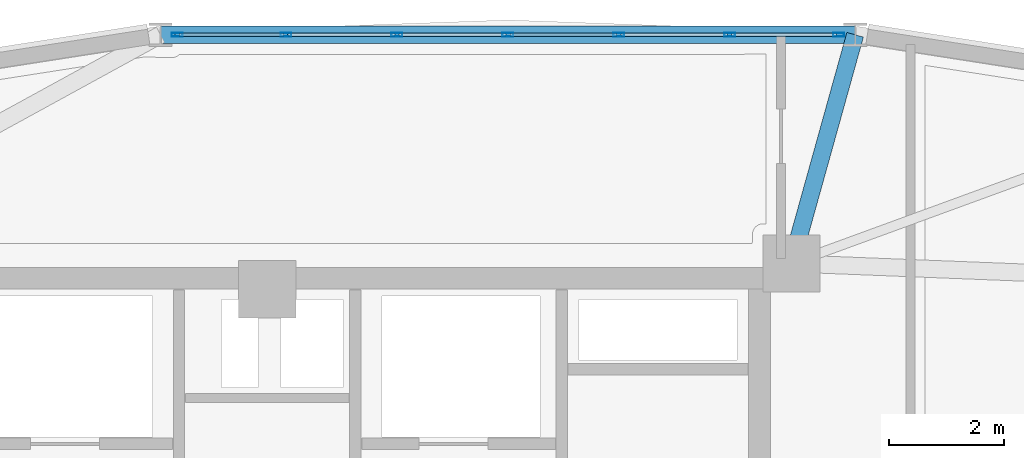
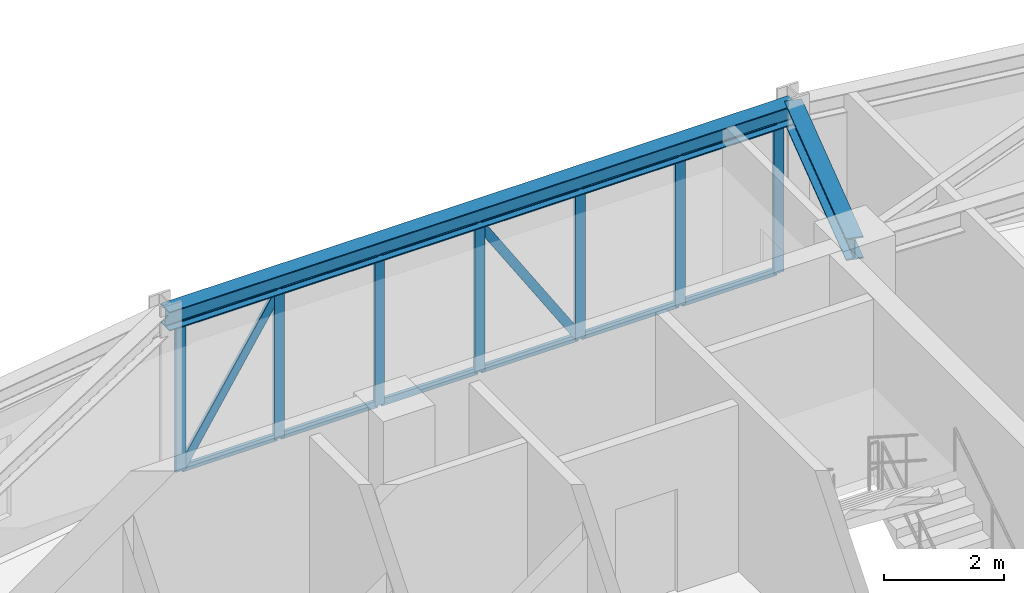
# One storey, part 9 of 16: 21 members, 2 beams, 1 element without a shape of its own.
"""IFC4 building model written with IfcOpenShell, lengths in metres."""

import ifcopenshell
import ifcopenshell.guid

model = None  # the IFC model being written
_history = None  # IfcOwnerHistory: only IFC2X3 demands one
_inside = {}  # id of a spatial element -> (the spatial element, [elements in it])
_under = {}  # id of a project, library or spatial element -> (it, [spatial elements below it])
_declared = {}  # id of a project -> (the project, [libraries it declares])
_typed = {}  # id of a type object -> (the type object, [elements of that type])
_made_of = {}  # id of a material, layer set ... -> (it, [elements and type objects made of it])


def new_model(schema):
    """Start an empty IFC model of exactly this schema.

    Asked for "IFC4X3", IfcOpenShell would pick the latest addendum, in which some entities
    have other attributes; the version numbers below select the first issue.
    IFC2X3 requires an IfcOwnerHistory on every rooted entity: one is made here for all.
    """
    global model, _history
    if schema == "IFC4X3":
        model = ifcopenshell.file(schema_version=(4, 3, 0, 0))
    else:
        model = ifcopenshell.file(schema=schema)
    _inside.clear()
    _under.clear()
    _declared.clear()
    _typed.clear()
    _made_of.clear()
    _history = None
    if model.schema == "IFC2X3":
        org = make("IfcOrganization", Name="unknown")
        user = make(
            "IfcPersonAndOrganization",
            ThePerson=make("IfcPerson", FamilyName="unknown"),
            TheOrganization=org,
        )
        app = make(
            "IfcApplication",
            ApplicationDeveloper=org,
            Version="unknown",
            ApplicationFullName="unknown",
            ApplicationIdentifier="unknown",
        )
        _history = make(
            "IfcOwnerHistory",
            OwningUser=user,
            OwningApplication=app,
            ChangeAction="ADDED",
            CreationDate=0,
        )
    return model


def make(cls, **values):
    """One entity of the class cls with the attributes given. An attribute that is None is left unset."""
    return model.create_entity(
        cls, **{name: value for name, value in values.items() if value is not None}
    )


def rooted(cls, **values):
    """An entity with a GlobalId (a new one), such as an element, a storey or a relation."""
    return make(cls, GlobalId=ifcopenshell.guid.new(), OwnerHistory=_history, **values)


def si_unit(unit_type, name, prefix=None):
    """IfcSIUnit, for example si_unit("LENGTHUNIT", "METRE", prefix="MILLI")."""
    return make("IfcSIUnit", UnitType=unit_type, Prefix=prefix, Name=name)


def derived_unit(unit_type, elements):
    """IfcDerivedUnit: a product of units, each with its exponent."""
    return make(
        "IfcDerivedUnit",
        Elements=[
            make("IfcDerivedUnitElement", Unit=unit, Exponent=power)
            for unit, power in elements
        ],
        UnitType=unit_type,
    )


def assignment(units):
    """IfcUnitAssignment: the units of a project."""
    return None if units is None else make("IfcUnitAssignment", Units=units)


def point(xyz):
    """IfcCartesianPoint."""
    return None if xyz is None else make("IfcCartesianPoint", Coordinates=xyz)


def direction(xyz):
    """IfcDirection."""
    return None if xyz is None else make("IfcDirection", DirectionRatios=xyz)


def frame(location, z_axis=None, x_axis=None):
    """IfcAxis2Placement3D, a coordinate frame: its origin and axes. An axis left out is left unset."""
    return make(
        "IfcAxis2Placement3D",
        Location=point(location),
        Axis=direction(z_axis),
        RefDirection=direction(x_axis),
    )


def frame_2d(location, x_axis=None):
    """IfcAxis2Placement2D, a coordinate frame in the plane: its origin and x axis."""
    return make(
        "IfcAxis2Placement2D", Location=point(location), RefDirection=direction(x_axis)
    )


def origin():
    """The frame at (0, 0, 0) with its axes left unset."""
    return frame((0.0, 0.0, 0.0))


def origin_2d():
    """The frame at (0, 0) in the plane with its x axis left unset."""
    return frame_2d((0.0, 0.0))


def place(relative_to, where):
    """IfcLocalPlacement: puts the frame where relative to a parent placement (None: the world)."""
    return make(
        "IfcLocalPlacement", PlacementRelTo=relative_to, RelativePlacement=where
    )


def context(
    kind, dimensions, precision=None, world=None, true_north=None, identifier=None
):
    """IfcGeometricRepresentationContext, for example the 3D "Model" context."""
    return make(
        "IfcGeometricRepresentationContext",
        ContextIdentifier=identifier,
        ContextType=kind,
        CoordinateSpaceDimension=dimensions,
        Precision=precision,
        WorldCoordinateSystem=world,
        TrueNorth=true_north,
    )


def subcontext(parent, identifier, kind, view, scale=None):
    """IfcGeometricRepresentationSubContext, for example "Body" below "Model"."""
    return make(
        "IfcGeometricRepresentationSubContext",
        ContextIdentifier=identifier,
        ContextType=kind,
        ParentContext=parent,
        TargetScale=scale,
        TargetView=view,
    )


def project(units=None, contexts=None):
    """IfcProject with its units and contexts."""
    return rooted(
        "IfcProject",
        Name="project",
        RepresentationContexts=contexts,
        UnitsInContext=assignment(units),
    )


def spatial(cls, under=None, at=None, **own):
    """A site, building, storey or space (cls), placed at a placement, below another one or the project."""
    s = rooted(cls, ObjectPlacement=at, **own)
    if under is not None:
        _under.setdefault(under.id(), (under, []))[1].append(s)
    return s


def profile(cls, at=None, kind="AREA", **sizes):
    """A parametric profile (cls). Its sizes go by their IFC names, for example OverallWidth=200.0."""
    return make(cls, ProfileType=kind, Position=at, **sizes)


def hollow_rectangle(**sizes):
    """IfcRectangleHollowProfileDef."""
    return profile("IfcRectangleHollowProfileDef", **sizes)


def i_section(**sizes):
    """IfcIShapeProfileDef."""
    return profile("IfcIShapeProfileDef", **sizes)


def extrude(swept, where, along, depth):
    """IfcExtrudedAreaSolid: the profile swept, set in the frame where, extruded along a direction by depth."""
    return make(
        "IfcExtrudedAreaSolid",
        SweptArea=swept,
        Position=where,
        ExtrudedDirection=direction(along),
        Depth=depth,
    )


def shape(context_of_items, identifier, shape_type, items):
    """IfcShapeRepresentation: the items that make up one representation, for example the "Body"."""
    return make(
        "IfcShapeRepresentation",
        ContextOfItems=context_of_items,
        RepresentationIdentifier=identifier,
        RepresentationType=shape_type,
        Items=items,
    )


def source(mapping_origin, context_of_items, identifier, shape_type, items):
    """IfcRepresentationMap: a shape defined once, which mapped items show again and again."""
    return make(
        "IfcRepresentationMap",
        MappingOrigin=mapping_origin,
        MappedRepresentation=shape(context_of_items, identifier, shape_type, items),
    )


def transform(
    local_origin,
    x_axis=None,
    y_axis=None,
    z_axis=None,
    scale=None,
    scale2=None,
    scale3=None,
    uniform=True,
):
    """IfcCartesianTransformationOperator3D, or its non-uniform kind. x_axis, y_axis, z_axis: its Axis1, 2, 3."""
    if uniform:
        return make(
            "IfcCartesianTransformationOperator3D",
            Axis1=direction(x_axis),
            Axis2=direction(y_axis),
            LocalOrigin=point(local_origin),
            Scale=scale,
            Axis3=direction(z_axis),
        )
    return make(
        "IfcCartesianTransformationOperator3DnonUniform",
        Axis1=direction(x_axis),
        Axis2=direction(y_axis),
        LocalOrigin=point(local_origin),
        Scale=scale,
        Axis3=direction(z_axis),
        Scale2=scale2,
        Scale3=scale3,
    )


def mapped(mapping_source, mapping_target):
    """IfcMappedItem: shows the shape of a source again, moved by a transform."""
    return make(
        "IfcMappedItem", MappingSource=mapping_source, MappingTarget=mapping_target
    )


def material(Name=None, Category=None):
    """IfcMaterial."""
    return make("IfcMaterial", Name=Name, Category=Category)


def layer(
    of_material, thickness, ventilated=None, Name=None, Category=None, Priority=None
):
    """IfcMaterialLayer: one layer of a wall or slab, of a material (None: an air gap)."""
    return make(
        "IfcMaterialLayer",
        Material=of_material,
        LayerThickness=thickness,
        IsVentilated=ventilated,
        Name=Name,
        Category=Category,
        Priority=Priority,
    )


def layer_set(layers, Name=None):
    """IfcMaterialLayerSet."""
    return make("IfcMaterialLayerSet", MaterialLayers=layers, LayerSetName=Name)


def material_profile(
    of_material, cross_section, Name=None, Category=None, Priority=None
):
    """IfcMaterialProfile: a cross section and its material."""
    return make(
        "IfcMaterialProfile",
        Name=Name,
        Material=of_material,
        Profile=cross_section,
        Priority=Priority,
        Category=Category,
    )


def profile_set(profiles, Name=None, composite=None):
    """IfcMaterialProfileSet."""
    return make(
        "IfcMaterialProfileSet",
        Name=Name,
        MaterialProfiles=profiles,
        CompositeProfile=composite,
    )


def made_of(thing, what):
    """Note that an element or type object is made of a material, layer set ...; save() writes the relation."""
    if what is not None:
        _made_of.setdefault(what.id(), (what, []))[1].append(thing)
    return thing


def type_object(cls, material=None, **own):
    """A type object (cls), such as IfcWallType, which elements share."""
    return made_of(rooted(cls, **own), material)


def element(
    cls,
    number,
    at=None,
    inside=None,
    cuts=None,
    type_object=None,
    material=None,
    context=None,
    identifier="Body",
    shape_type=None,
    held_by="IfcProductDefinitionShape",
    body=None,
    shapes=None,
    **own,
):
    """One element of the class cls, such as IfcWall. Its Tag is "e" and its number.

    at: its placement. inside: the storey or other place that contains it. cuts: it is an
    opening in that element (IfcRelVoidsElement). A single representation is given by context,
    identifier, shape_type and body (its items); several are given by shapes. held_by: the class
    of the entity that holds the representations. save() writes the other relations.
    """
    e = rooted(cls, Tag="e%d" % number, ObjectPlacement=at, **own)
    if body is not None:
        shapes = [shape(context, identifier, shape_type, body)]
    if shapes is not None:
        e.Representation = make(held_by, Representations=shapes)
    if inside is not None:
        _inside.setdefault(inside.id(), (inside, []))[1].append(e)
    if cuts is not None:
        rooted(
            "IfcRelVoidsElement", RelatingBuildingElement=cuts, RelatedOpeningElement=e
        )
    if type_object is not None:
        _typed.setdefault(type_object.id(), (type_object, []))[1].append(e)
    return made_of(e, material)


def aggregate(whole, parts):
    """IfcRelAggregates: a whole, such as a stair, and the parts it consists of."""
    return rooted("IfcRelAggregates", RelatingObject=whole, RelatedObjects=parts)


def save(model, path):
    """Write the relations noted so far, then the file.

    IfcRelAggregates (storeys below a building ...), IfcRelContainedInSpatialStructure (elements
    in a storey), IfcRelDefinesByType, IfcRelAssociatesMaterial and IfcRelDeclares: one each for
    every whole, place, type object, material and project.
    """
    for whole, parts in _under.values():
        aggregate(whole, parts)
    for where, things in _inside.values():
        rooted(
            "IfcRelContainedInSpatialStructure",
            RelatedElements=things,
            RelatingStructure=where,
        )
    for kind, things in _typed.values():
        rooted("IfcRelDefinesByType", RelatedObjects=things, RelatingType=kind)
    for what, things in _made_of.values():
        rooted("IfcRelAssociatesMaterial", RelatedObjects=things, RelatingMaterial=what)
    for by, libraries in _declared.values():
        rooted("IfcRelDeclares", RelatingContext=by, RelatedDefinitions=libraries)
    model.write(path)


model = new_model("IFC4")

# Units and contexts
model_context = context("Model", 3, precision=1e-05, world=origin(), true_north=direction((0.0, 1.0)))
body_context = subcontext(model_context, "Body", "Model", "MODEL_VIEW")
ifc_project = project(units=[si_unit("LENGTHUNIT", "METRE"), si_unit("AREAUNIT", "SQUARE_METRE"), si_unit("VOLUMEUNIT", "CUBIC_METRE"), si_unit("PLANEANGLEUNIT", "RADIAN"), si_unit("MASSUNIT", "GRAM", prefix="KILO"), derived_unit("THERMALTRANSMITTANCEUNIT", [(si_unit("POWERUNIT", "WATT"), 1), (si_unit("LENGTHUNIT", "METRE"), -2), (si_unit("THERMODYNAMICTEMPERATUREUNIT", "KELVIN"), -1)])], contexts=[model_context])

# Site, building, storey
site_placement = place(None, origin())
site = spatial("IfcSite", under=ifc_project, at=site_placement, CompositionType="ELEMENT")
building_placement = place(site_placement, origin())
building = spatial("IfcBuilding", under=site, at=building_placement, Name="Korsvarv Bourse and Concert Hall", CompositionType="ELEMENT")
storey_placement = place(building_placement, frame((0.0, 0.0, 231.0)))
storey = spatial("IfcBuildingStorey", under=building, at=storey_placement, Name="L60", CompositionType="ELEMENT", Elevation=231.0)

# Beams
ifc_material_1 = material(Name="Steel S355", Category="steel")
ifc_material_profile_1 = material_profile(ifc_material_1, i_section(OverallWidth=0.300048828125, OverallDepth=0.389892578125, WebThickness=0.010986328125, FlangeThickness=0.01904296875, FilletRadius=0.02099609375, at=origin_2d()), Name="HEA 400")
ifc_profile_set_1 = profile_set([ifc_material_profile_1], Name="Steel S355")
beam_type_1 = type_object("IfcBeamType", Name="BM-HEA400", PredefinedType="BEAM", material=ifc_profile_set_1)
shared_shape_1 = source(origin(), body_context, "Body", "SweptSolid", [
    extrude(i_section(OverallWidth=0.300048828125, OverallDepth=0.389892578125, WebThickness=0.010986328125, FlangeThickness=0.01904296875, FilletRadius=0.02099609375, at=origin_2d()), origin(), (0.0, 0.0, 1.0), 12.12353515625),
])
beam_1_placement = place(storey_placement, frame((46.26171875, 51.2412109375, 3.215087890625), z_axis=(-1.0, 0.0, 0.0), x_axis=(0.0, -1.0, 0.0)))
element("IfcBeam", 1, at=beam_1_placement, inside=storey, type_object=beam_type_1, Name="L60 beam B-11", PredefinedType="BEAM", context=body_context, shape_type="MappedRepresentation", body=[
    mapped(shared_shape_1, transform((0.0, 0.0, 0.0), scale=1.0)),
])
ifc_material_profile_2 = material_profile(ifc_material_1, i_section(OverallWidth=0.300048828125, OverallDepth=0.449951171875, WebThickness=0.013916015625, FlangeThickness=0.02587890625, FilletRadius=0.02099609375, at=origin_2d()), Name="HEB 450")
ifc_profile_set_2 = profile_set([ifc_material_profile_2], Name="Steel S355")
beam_type_2 = type_object("IfcBeamType", Name="BM-HEB450", PredefinedType="SPANDREL", material=ifc_profile_set_2)
shared_shape_2 = source(origin(), body_context, "Body", "SweptSolid", [
    extrude(i_section(OverallWidth=0.300048828125, OverallDepth=0.449951171875, WebThickness=0.013916015625, FlangeThickness=0.02587890625, FilletRadius=0.02099609375, at=origin_2d()), origin(), (0.0, 0.0, 1.0), 4.14306640625),
])
beam_2_placement = place(storey_placement, frame((46.26171875, 51.2412109375, 3.18505859375), z_axis=(-0.268348877683, -0.963321794545, 0.0), x_axis=(0.963321794545, -0.268348877683, 0.0)))
element("IfcBeam", 2, at=beam_2_placement, inside=storey, type_object=beam_type_2, Name="L60 beam B-08", PredefinedType="SPANDREL", context=body_context, shape_type="MappedRepresentation", body=[
    mapped(shared_shape_2, transform((0.0, 0.0, 0.0), scale=1.0)),
])

# Curtain wall, members
ifc_material_2 = material(Name="Anodised aluminium and triple low-E glazing", Category="glass")
ifc_layer = layer(ifc_material_2, 0.199951171875)
ifc_layer_set = layer_set([ifc_layer], Name="Anodised aluminium and triple low-E glazing")
curtain_wall_type = type_object("IfcCurtainWallType", Name="CW-SYS-3", PredefinedType="NOTDEFINED", material=ifc_layer_set)
curtain_wall_placement = place(storey_placement, origin())
curtain_wall = element("IfcCurtainWall", 3, at=curtain_wall_placement, inside=storey, type_object=curtain_wall_type, Name="L60 CW3 curtain wall CW-L60-F03", PredefinedType="NOTDEFINED")
ifc_material_3 = material(Name="Extruded aluminium EN AW-6063 T66", Category="aluminium")
ifc_material_profile_3 = material_profile(ifc_material_3, hollow_rectangle(XDim=0.070068359375, YDim=0.18994140625, WallThickness=0.0048828125, at=origin_2d()), Name="ALU-M 70x190")
ifc_profile_set_3 = profile_set([ifc_material_profile_3], Name="Extruded aluminium EN AW-6063 T66")
member_type_1 = type_object("IfcMemberType", Name="CWM-190", PredefinedType="MULLION", material=ifc_profile_set_3)
shared_shape_3 = source(origin(), body_context, "Body", "SweptSolid", [
    extrude(hollow_rectangle(XDim=0.070068359375, YDim=0.18994140625, WallThickness=0.0048828125, at=origin_2d()), origin(), (0.0, 0.0, 1.0), 3.02001953125),
])
member_1_placement = place(storey_placement, frame((45.973876953125, 51.2412109375, 0.0), z_axis=(0.0, 0.0, 1.0), x_axis=(0.0, -1.0, 0.0)))
member_1 = element("IfcMember", 4, at=member_1_placement, type_object=member_type_1, Name="CW3 mullion 1", PredefinedType="MULLION", context=body_context, shape_type="MappedRepresentation", body=[
    mapped(shared_shape_3, transform((0.0, 0.0, 0.0), scale=1.0)),
])
member_2_placement = place(storey_placement, frame((44.072509765625, 51.2412109375, 0.0), z_axis=(0.0, 0.0, 1.0), x_axis=(0.0, -1.0, 0.0)))
member_2 = element("IfcMember", 5, at=member_2_placement, type_object=member_type_1, Name="CW3 mullion 2", PredefinedType="MULLION", context=body_context, shape_type="MappedRepresentation", body=[
    mapped(shared_shape_3, transform((0.0, 0.0, 0.0), scale=1.0)),
])
member_3_placement = place(storey_placement, frame((42.13623046875, 51.2412109375, 0.0), z_axis=(0.0, 0.0, 1.0), x_axis=(0.0, -1.0, 0.0)))
member_3 = element("IfcMember", 6, at=member_3_placement, type_object=member_type_1, Name="CW3 mullion 3", PredefinedType="MULLION", context=body_context, shape_type="MappedRepresentation", body=[
    mapped(shared_shape_3, transform((0.0, 0.0, 0.0), scale=1.0)),
])
member_4_placement = place(storey_placement, frame((40.199951171875, 51.2412109375, 0.0), z_axis=(0.0, 0.0, 1.0), x_axis=(0.0, -1.0, 0.0)))
member_4 = element("IfcMember", 7, at=member_4_placement, type_object=member_type_1, Name="CW3 mullion 4", PredefinedType="MULLION", context=body_context, shape_type="MappedRepresentation", body=[
    mapped(shared_shape_3, transform((0.0, 0.0, 0.0), scale=1.0)),
])
member_5_placement = place(storey_placement, frame((38.263671875, 51.2412109375, 0.0), z_axis=(0.0, 0.0, 1.0), x_axis=(0.0, -1.0, 0.0)))
member_5 = element("IfcMember", 8, at=member_5_placement, type_object=member_type_1, Name="CW3 mullion 5", PredefinedType="MULLION", context=body_context, shape_type="MappedRepresentation", body=[
    mapped(shared_shape_3, transform((0.0, 0.0, 0.0), scale=1.0)),
])
member_6_placement = place(storey_placement, frame((36.327392578125, 51.2412109375, 0.0), z_axis=(0.0, 0.0, 1.0), x_axis=(0.0, -1.0, 0.0)))
member_6 = element("IfcMember", 9, at=member_6_placement, type_object=member_type_1, Name="CW3 mullion 6", PredefinedType="MULLION", context=body_context, shape_type="MappedRepresentation", body=[
    mapped(shared_shape_3, transform((0.0, 0.0, 0.0), scale=1.0)),
])
member_7_placement = place(storey_placement, frame((34.42626953125, 51.2412109375, 0.0), z_axis=(0.0, 0.0, 1.0), x_axis=(0.0, -1.0, 0.0)))
member_7 = element("IfcMember", 10, at=member_7_placement, type_object=member_type_1, Name="CW3 mullion 7", PredefinedType="MULLION", context=body_context, shape_type="MappedRepresentation", body=[
    mapped(shared_shape_3, transform((0.0, 0.0, 0.0), scale=1.0)),
])
ifc_material_profile_4 = material_profile(ifc_material_3, hollow_rectangle(XDim=0.06494140625, YDim=0.139892578125, WallThickness=0.00390625, at=origin_2d()), Name="ALU-T 65x140")
ifc_profile_set_4 = profile_set([ifc_material_profile_4], Name="Extruded aluminium EN AW-6063 T66")
member_type_2 = type_object("IfcMemberType", Name="CWT-140", PredefinedType="USERDEFINED", material=ifc_profile_set_4)
shared_shape_4 = source(origin(), body_context, "Body", "SweptSolid", [
    extrude(hollow_rectangle(XDim=0.06494140625, YDim=0.139892578125, WallThickness=0.00390625, at=origin_2d()), origin(), (0.0, 0.0, 1.0), 1.831298828125),
])
member_8_placement = place(storey_placement, frame((45.938720703125, 51.2412109375, 0.032470703125), z_axis=(-1.0, 0.0, 0.0), x_axis=(0.0, -1.0, 0.0)))
member_8 = element("IfcMember", 11, at=member_8_placement, type_object=member_type_2, Name="CW3 transom 1.1", ObjectType="TRANSOM", PredefinedType="USERDEFINED", context=body_context, shape_type="MappedRepresentation", body=[
    mapped(shared_shape_4, transform((0.0, 0.0, 0.0), scale=1.0)),
])
member_9_placement = place(storey_placement, frame((45.938720703125, 51.2412109375, 2.987548828125), z_axis=(-1.0, 0.0, 0.0), x_axis=(0.0, -1.0, 0.0)))
member_9 = element("IfcMember", 12, at=member_9_placement, type_object=member_type_2, Name="CW3 transom 1.2", ObjectType="TRANSOM", PredefinedType="USERDEFINED", context=body_context, shape_type="MappedRepresentation", body=[
    mapped(shared_shape_4, transform((0.0, 0.0, 0.0), scale=1.0)),
])
member_10_placement = place(storey_placement, frame((36.29248046875, 51.2412109375, 0.032470703125), z_axis=(-1.0, 0.0, 0.0), x_axis=(0.0, -1.0, 0.0)))
member_10 = element("IfcMember", 13, at=member_10_placement, type_object=member_type_2, Name="CW3 transom 6.1", ObjectType="TRANSOM", PredefinedType="USERDEFINED", context=body_context, shape_type="MappedRepresentation", body=[
    mapped(shared_shape_4, transform((0.0, 0.0, 0.0), scale=1.0)),
])
member_11_placement = place(storey_placement, frame((36.29248046875, 51.2412109375, 2.987548828125), z_axis=(-1.0, 0.0, 0.0), x_axis=(0.0, -1.0, 0.0)))
member_11 = element("IfcMember", 14, at=member_11_placement, type_object=member_type_2, Name="CW3 transom 6.2", ObjectType="TRANSOM", PredefinedType="USERDEFINED", context=body_context, shape_type="MappedRepresentation", body=[
    mapped(shared_shape_4, transform((0.0, 0.0, 0.0), scale=1.0)),
])
shared_shape_5 = source(origin(), body_context, "Body", "SweptSolid", [
    extrude(hollow_rectangle(XDim=0.06494140625, YDim=0.139892578125, WallThickness=0.00390625, at=origin_2d()), origin(), (0.0, 0.0, 1.0), 1.8662109375),
])
member_12_placement = place(storey_placement, frame((44.03759765625, 51.2412109375, 0.032470703125), z_axis=(-1.0, 0.0, 0.0), x_axis=(0.0, -1.0, 0.0)))
member_12 = element("IfcMember", 15, at=member_12_placement, type_object=member_type_2, Name="CW3 transom 2.1", ObjectType="TRANSOM", PredefinedType="USERDEFINED", context=body_context, shape_type="MappedRepresentation", body=[
    mapped(shared_shape_5, transform((0.0, 0.0, 0.0), scale=1.0)),
])
member_13_placement = place(storey_placement, frame((44.03759765625, 51.2412109375, 2.987548828125), z_axis=(-1.0, 0.0, 0.0), x_axis=(0.0, -1.0, 0.0)))
member_13 = element("IfcMember", 16, at=member_13_placement, type_object=member_type_2, Name="CW3 transom 2.2", ObjectType="TRANSOM", PredefinedType="USERDEFINED", context=body_context, shape_type="MappedRepresentation", body=[
    mapped(shared_shape_5, transform((0.0, 0.0, 0.0), scale=1.0)),
])
member_14_placement = place(storey_placement, frame((42.101318359375, 51.2412109375, 0.032470703125), z_axis=(-1.0, 0.0, 0.0), x_axis=(0.0, -1.0, 0.0)))
member_14 = element("IfcMember", 17, at=member_14_placement, type_object=member_type_2, Name="CW3 transom 3.1", ObjectType="TRANSOM", PredefinedType="USERDEFINED", context=body_context, shape_type="MappedRepresentation", body=[
    mapped(shared_shape_5, transform((0.0, 0.0, 0.0), scale=1.0)),
])
member_15_placement = place(storey_placement, frame((42.101318359375, 51.2412109375, 2.987548828125), z_axis=(-1.0, 0.0, 0.0), x_axis=(0.0, -1.0, 0.0)))
member_15 = element("IfcMember", 18, at=member_15_placement, type_object=member_type_2, Name="CW3 transom 3.2", ObjectType="TRANSOM", PredefinedType="USERDEFINED", context=body_context, shape_type="MappedRepresentation", body=[
    mapped(shared_shape_5, transform((0.0, 0.0, 0.0), scale=1.0)),
])
member_16_placement = place(storey_placement, frame((40.1650390625, 51.2412109375, 0.032470703125), z_axis=(-1.0, 0.0, 0.0), x_axis=(0.0, -1.0, 0.0)))
member_16 = element("IfcMember", 19, at=member_16_placement, type_object=member_type_2, Name="CW3 transom 4.1", ObjectType="TRANSOM", PredefinedType="USERDEFINED", context=body_context, shape_type="MappedRepresentation", body=[
    mapped(shared_shape_5, transform((0.0, 0.0, 0.0), scale=1.0)),
])
member_17_placement = place(storey_placement, frame((40.1650390625, 51.2412109375, 2.987548828125), z_axis=(-1.0, 0.0, 0.0), x_axis=(0.0, -1.0, 0.0)))
member_17 = element("IfcMember", 20, at=member_17_placement, type_object=member_type_2, Name="CW3 transom 4.2", ObjectType="TRANSOM", PredefinedType="USERDEFINED", context=body_context, shape_type="MappedRepresentation", body=[
    mapped(shared_shape_5, transform((0.0, 0.0, 0.0), scale=1.0)),
])
member_18_placement = place(storey_placement, frame((38.228759765625, 51.2412109375, 0.032470703125), z_axis=(-1.0, 0.0, 0.0), x_axis=(0.0, -1.0, 0.0)))
member_18 = element("IfcMember", 21, at=member_18_placement, type_object=member_type_2, Name="CW3 transom 5.1", ObjectType="TRANSOM", PredefinedType="USERDEFINED", context=body_context, shape_type="MappedRepresentation", body=[
    mapped(shared_shape_5, transform((0.0, 0.0, 0.0), scale=1.0)),
])
member_19_placement = place(storey_placement, frame((38.228759765625, 51.2412109375, 2.987548828125), z_axis=(-1.0, 0.0, 0.0), x_axis=(0.0, -1.0, 0.0)))
member_19 = element("IfcMember", 22, at=member_19_placement, type_object=member_type_2, Name="CW3 transom 5.2", ObjectType="TRANSOM", PredefinedType="USERDEFINED", context=body_context, shape_type="MappedRepresentation", body=[
    mapped(shared_shape_5, transform((0.0, 0.0, 0.0), scale=1.0)),
])
ifc_material_profile_5 = material_profile(ifc_material_3, hollow_rectangle(XDim=0.06494140625, YDim=0.1650390625, WallThickness=0.0048828125, at=origin_2d()), Name="ALU-M 65x165")
ifc_profile_set_5 = profile_set([ifc_material_profile_5], Name="Extruded aluminium EN AW-6063 T66")
member_type_3 = type_object("IfcMemberType", Name="CWM-165", PredefinedType="MULLION", material=ifc_profile_set_5)
shared_shape_6 = source(origin(), body_context, "Body", "SweptSolid", [
    extrude(hollow_rectangle(XDim=0.06494140625, YDim=0.1650390625, WallThickness=0.0048828125, at=origin_2d()), origin(), (0.0, 0.0, 1.0), 3.440185546875),
])
member_20_placement = place(storey_placement, frame((42.101318359375, 51.2412109375, 0.06494140625), z_axis=(-0.54245657294, 0.0, 0.840083844907), x_axis=(0.0, -1.0, 0.0)))
member_20 = element("IfcMember", 23, at=member_20_placement, type_object=member_type_3, Name="CW3 diagonal mullion 3", PredefinedType="MULLION", context=body_context, shape_type="MappedRepresentation", body=[
    mapped(shared_shape_6, transform((0.0, 0.0, 0.0), scale=1.0)),
])
shared_shape_7 = source(origin(), body_context, "Body", "SweptSolid", [
    extrude(hollow_rectangle(XDim=0.06494140625, YDim=0.1650390625, WallThickness=0.0048828125, at=origin_2d()), origin(), (0.0, 0.0, 1.0), 3.42138671875),
])
member_21_placement = place(storey_placement, frame((34.461181640625, 51.2412109375, 0.06494140625), z_axis=(0.535235407896, 0.0, 0.844702940764), x_axis=(0.0, 1.0, 0.0)))
member_21 = element("IfcMember", 24, at=member_21_placement, type_object=member_type_3, Name="CW3 diagonal mullion 6", PredefinedType="MULLION", context=body_context, shape_type="MappedRepresentation", body=[
    mapped(shared_shape_7, transform((0.0, 0.0, 0.0), scale=1.0)),
])
aggregate(curtain_wall, [member_1, member_2, member_3, member_4, member_5, member_6, member_7, member_8, member_9, member_12, member_13, member_14, member_15, member_20, member_16, member_17, member_18, member_19, member_10, member_11, member_21])

save(model, "model.ifc")
